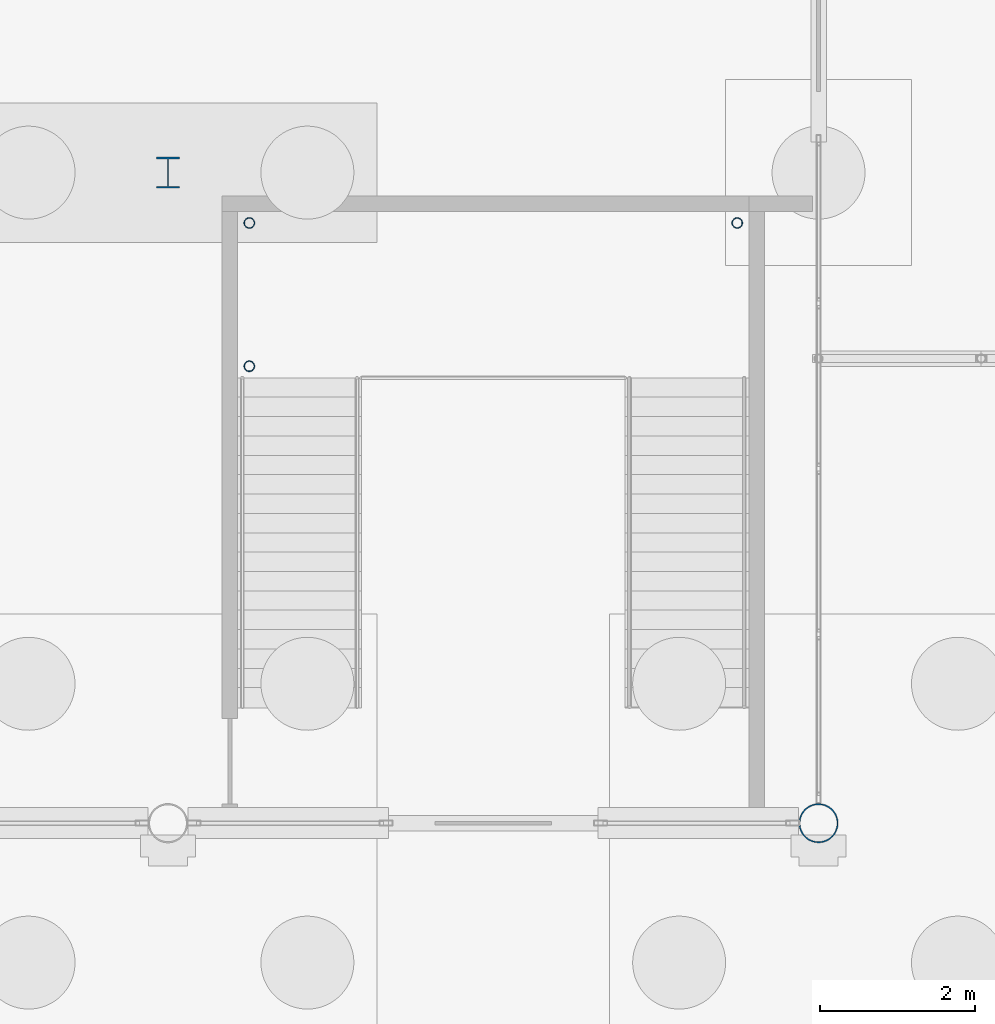
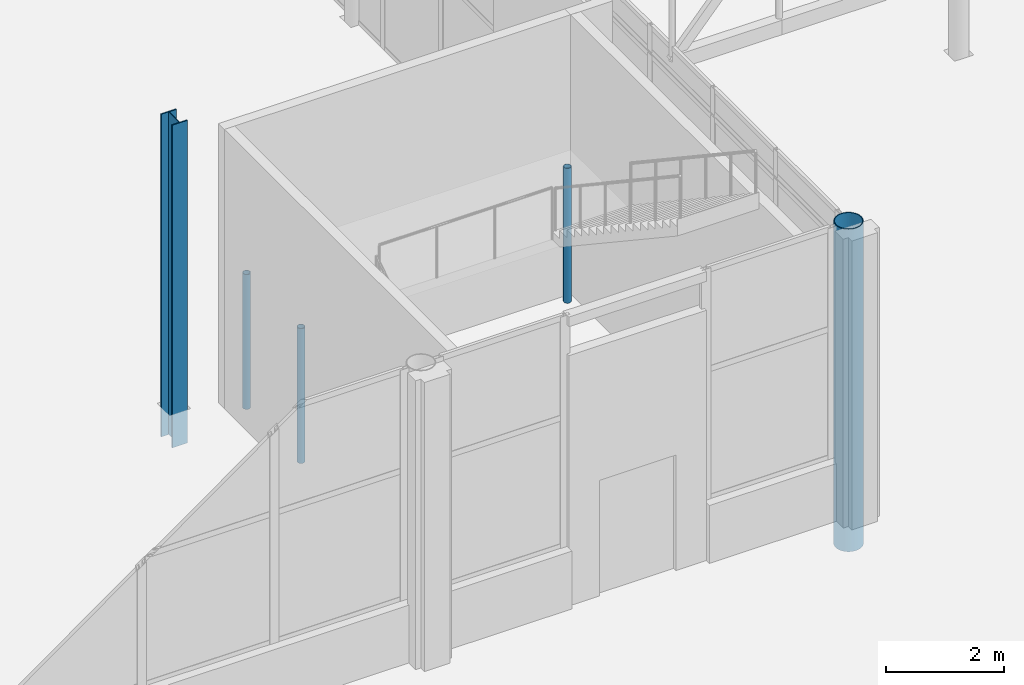
# One storey, part 17 of 212: 5 columns.
"""IFC4 building model written with IfcOpenShell, lengths in metres."""

from ifc_helpers import new_model, si_unit, direction, frame, origin, origin_2d, place, context, subcontext, project, spatial, hollow_circle, i_section, extrude, material, material_profile, profile_set, type_object, element, save


model = new_model("IFC4")

# Units and contexts
model_context = context("Model", 3, precision=1e-05, world=origin(), true_north=direction((0.0, 1.0)))
body_context = subcontext(model_context, "Body", "Model", "MODEL_VIEW")
ifc_project = project(units=[si_unit("LENGTHUNIT", "METRE"), si_unit("AREAUNIT", "SQUARE_METRE"), si_unit("VOLUMEUNIT", "CUBIC_METRE"), si_unit("PLANEANGLEUNIT", "RADIAN"), si_unit("MASSUNIT", "GRAM", prefix="KILO")], contexts=[model_context])

# Site, building, storey
site_placement = place(None, origin())
site = spatial("IfcSite", under=ifc_project, at=site_placement, CompositionType="ELEMENT")
building_placement = place(site_placement, origin())
building = spatial("IfcBuilding", under=site, at=building_placement, Name="Catenary Quay Ferry Terminal", CompositionType="ELEMENT")
storey_placement = place(building_placement, origin())
storey = spatial("IfcBuildingStorey", under=building, at=storey_placement, Name="L00", CompositionType="ELEMENT", Elevation=0.0)

# Columns
ifc_material_1 = material(Name="Steel S355", Category="steel")
ifc_material_profile_1 = material_profile(ifc_material_1, i_section(OverallWidth=0.300048828125, OverallDepth=0.39990234375, WebThickness=0.013427734375, FlangeThickness=0.02392578125, at=origin_2d()), Name="HEB 400")
ifc_profile_set_1 = profile_set([ifc_material_profile_1], Name="Steel S355")
column_type_1 = type_object("IfcColumnType", Name="C2 HEB 400", PredefinedType="COLUMN", material=ifc_profile_set_1)
column_1_placement = place(storey_placement, frame((84.0, 75.60009765625, -0.699951171875), z_axis=(0.0, 0.0, 1.0), x_axis=(1.0, 0.0, 0.0)))
element("IfcColumn", 1, at=column_1_placement, inside=storey, type_object=column_type_1, Name="Column C-K10 L00", PredefinedType="COLUMN", context=body_context, shape_type="SweptSolid", body=[
    extrude(i_section(OverallWidth=0.300048828125, OverallDepth=0.39990234375, WebThickness=0.013427734375, FlangeThickness=0.02392578125, at=origin_2d()), origin(), (0.0, 0.0, 1.0), 6.699951171875),
])
ifc_material_2 = material(Name="Steel S355", Category="steel")
ifc_material_profile_2 = material_profile(ifc_material_2, hollow_circle(Radius=0.25390625, WallThickness=0.01611328125, at=origin_2d()), Name="CHS 508x16")
ifc_profile_set_2 = profile_set([ifc_material_profile_2], Name="Steel S355")
column_type_2 = type_object("IfcColumnType", Name="C4 CHS 508x16", PredefinedType="COLUMN", material=ifc_profile_set_2)
column_2_placement = place(storey_placement, frame((92.39990234375, 67.199951171875, -0.699951171875), z_axis=(0.0, 0.0, 1.0), x_axis=(1.0, 0.0, 0.0)))
element("IfcColumn", 2, at=column_2_placement, inside=storey, type_object=column_type_2, Name="Column C-L9 L00", PredefinedType="COLUMN", context=body_context, shape_type="SweptSolid", body=[
    extrude(hollow_circle(Radius=0.25390625, WallThickness=0.01611328125, at=origin_2d()), origin(), (0.0, 0.0, 1.0), 6.699951171875),
])
ifc_material_3 = material(Name="Steel S355", Category="steel")
ifc_material_profile_3 = material_profile(ifc_material_3, hollow_circle(Radius=0.06982421875, WallThickness=0.008056640625, at=origin_2d()), Name="CHS 139.7x8")
ifc_profile_set_3 = profile_set([ifc_material_profile_3], Name="Steel S355")
column_type_3 = type_object("IfcColumnType", Name="SP1 CHS 139.7x8", PredefinedType="COLUMN", material=ifc_profile_set_3)
for number, where, z_axis, x_axis, name in (
    (3, (85.050048828125, 74.949951171875, 0.0), (0.0, 0.0, 1.0), (1.0, 0.0, 0.0), "Landing post TS5-L00 1"),
    (4, (91.35009765625, 74.949951171875, 0.0), (0.0, 0.0, 1.0), (1.0, 0.0, 0.0), "Landing post TS5-L00 2"),
    (5, (85.050048828125, 73.10009765625, 0.0), (0.0, 0.0, 1.0), (1.0, 0.0, 0.0), "Landing post TS5-L00 3"),
):
    element("IfcColumn", number, at=place(storey_placement, frame(where, z_axis=z_axis, x_axis=x_axis)), inside=storey, type_object=column_type_3, Name=name, PredefinedType="COLUMN", context=body_context, shape_type="SweptSolid", body=[
        extrude(hollow_circle(Radius=0.06982421875, WallThickness=0.008056640625, at=origin_2d()), origin(), (0.0, 0.0, 1.0), 2.800048828125),
    ])

save(model, "model.ifc")
